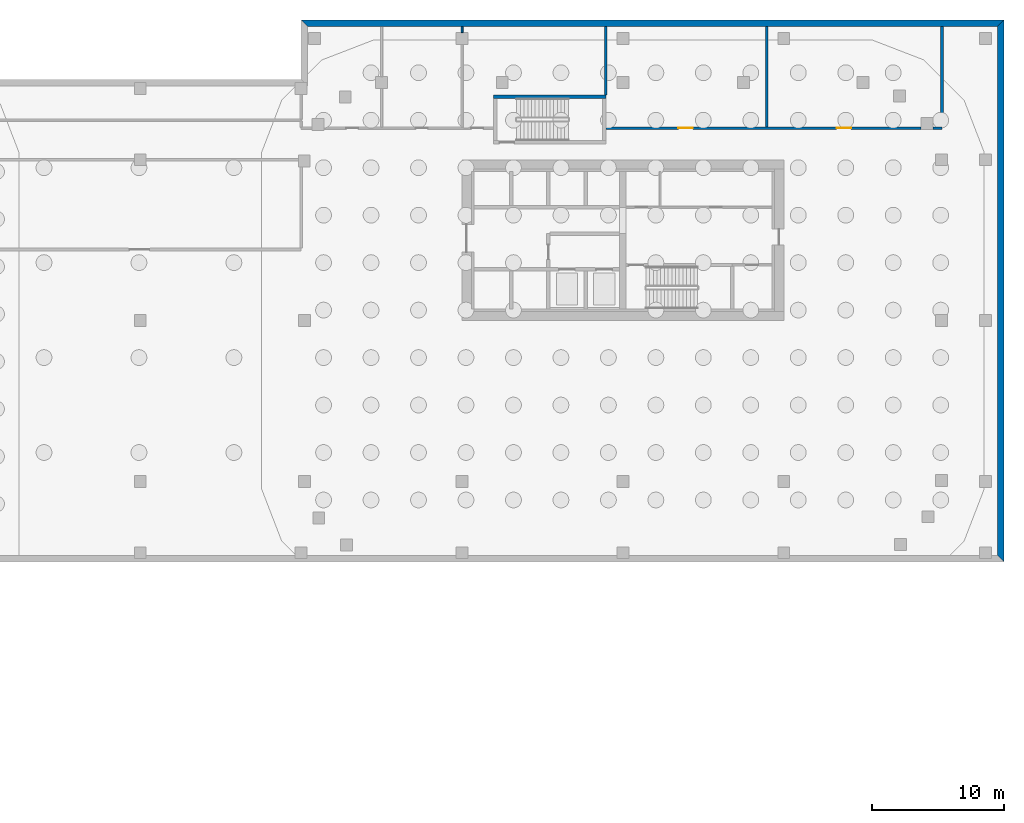
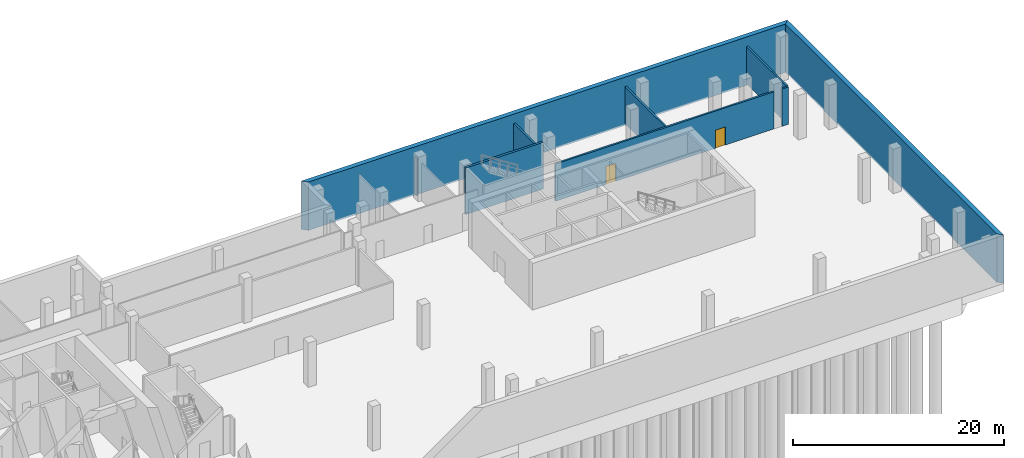
# One storey, part 9 of 13: 9 walls, 2 doors, 2 openings.
"""IFC4 building model written with IfcOpenShell, lengths in metres."""

from ifc_helpers import new_model, si_unit, direction, frame, frame_2d, origin, place, context, subcontext, project, spatial, polyline, rectangle, outline, extrude, source, transform, mapped, material, layer, layer_set, type_object, element, fill, save


model = new_model("IFC4")

# Units and contexts
model_context = context("Model", 3, precision=1e-05, world=origin(), true_north=direction((0.0, 1.0)))
body_context = subcontext(model_context, "Body", "Model", "MODEL_VIEW")
ifc_project = project(units=[si_unit("LENGTHUNIT", "METRE"), si_unit("AREAUNIT", "SQUARE_METRE"), si_unit("VOLUMEUNIT", "CUBIC_METRE"), si_unit("PLANEANGLEUNIT", "RADIAN"), si_unit("MASSUNIT", "GRAM", prefix="KILO")], contexts=[model_context])

# Site, building, storey
site_placement = place(None, origin())
site = spatial("IfcSite", under=ifc_project, at=site_placement, CompositionType="ELEMENT")
building_placement = place(site_placement, origin())
building = spatial("IfcBuilding", under=site, at=building_placement, Name="Tessera Gate Towers", CompositionType="ELEMENT")
storey_placement = place(building_placement, frame((0.0, 0.0, -5.39990234375)))
storey = spatial("IfcBuildingStorey", under=building, at=storey_placement, Name="B1", CompositionType="ELEMENT", Elevation=-5.39990234375)

# Wall
ifc_material_1 = material(Name="Concrete C40/50", Category="concrete")
ifc_layer_1 = layer(ifc_material_1, 0.25)
ifc_layer_set_1 = layer_set([ifc_layer_1], Name="CORE ENCLOSURE WALL 250")
wall_type_1 = type_object("IfcWallType", Name="CORE ENCLOSURE WALL 250", PredefinedType="SOLIDWALL", material=ifc_layer_set_1)
wall_1_placement = place(storey_placement, frame((100.0, 53.574951171875, 0.0), z_axis=(0.0, 0.0, 1.0), x_axis=(1.0, 0.0, 0.0)))
element("IfcWall", 1, at=wall_1_placement, inside=storey, type_object=wall_type_1, Name="B1 ST7 enclosure wall", PredefinedType="SOLIDWALL", context=body_context, shape_type="SweptSolid", body=[
    extrude(rectangle(XDim=8.5, YDim=0.25, at=frame_2d((4.25, 0.0))), origin(), (0.0, 0.0, 1.0), 5.39990234375),
])

# Wall, openings, doors
ifc_material_2 = material(Name="Concrete masonry unit", Category="masonry")
ifc_layer_2 = layer(ifc_material_2, 0.199951171875)
ifc_layer_set_2 = layer_set([ifc_layer_2], Name="PLANT WALL 200")
wall_type_2 = type_object("IfcWallType", Name="PLANT WALL 200", PredefinedType="PARTITIONING", material=ifc_layer_set_2)
wall_2_placement = place(storey_placement, frame((108.5, 51.199951171875, 0.0), z_axis=(0.0, 0.0, 1.0), x_axis=(1.0, 0.0, 0.0)))
wall_2 = element("IfcWall", 2, at=wall_2_placement, inside=storey, type_object=wall_type_2, Name="PODIUM-B1-PW-025", PredefinedType="PARTITIONING", context=body_context, shape_type="SweptSolid", body=[
    extrude(rectangle(XDim=23.91796875, YDim=0.199951171875, at=frame_2d((11.958984375, 0.0))), origin(), (0.0, 0.0, 1.0), 4.31494140625),
])
shared_shape_1 = source(origin(), body_context, "Body", "SweptSolid", [
    extrude(rectangle(XDim=1.10009765625, YDim=2.10009765625, at=frame_2d((0.550048828125, 1.050048828125))), frame((0.0, 0.10986328125, 0.0), z_axis=(0.0, -1.0, 0.0), x_axis=(1.0, 0.0, 0.0)), (0.0, 0.0, 1.0), 0.219970703125),
])
opening_1_placement = place(wall_2_placement, frame((5.5, 0.0, 0.0)))
opening_1 = element("IfcOpeningElement", 3, at=opening_1_placement, cuts=wall_2, Name="Opening D5110FD90-P00-01", PredefinedType="OPENING", context=body_context, shape_type="MappedRepresentation", body=[
    mapped(shared_shape_1, transform((0.0, 0.0, 0.0), scale=1.0)),
])
opening_2_placement = place(wall_2_placement, frame((17.5, 0.0, 0.0)))
opening_2 = element("IfcOpeningElement", 4, at=opening_2_placement, cuts=wall_2, Name="Opening D5110FD90-P00-02", PredefinedType="OPENING", context=body_context, shape_type="MappedRepresentation", body=[
    mapped(shared_shape_1, transform((0.0, 0.0, 0.0), scale=1.0)),
])
ifc_material_3 = material(Name="Timber door leaf in steel frame", Category="steel")
door_type = type_object("IfcDoorType", Name="PLANT DOOR 1100 FD90", OperationType="NOTDEFINED", PredefinedType="DOOR", material=ifc_material_3)
shared_shape_2 = source(origin(), body_context, "Body", "SweptSolid", [
    extrude(rectangle(XDim=1.10009765625, YDim=2.10009765625, at=frame_2d((0.550048828125, 1.050048828125))), frame((0.0, 0.02490234375, 0.0), z_axis=(0.0, -1.0, 0.0), x_axis=(1.0, 0.0, 0.0)), (0.0, 0.0, 1.0), 0.050048828125),
])
door_1_placement = place(opening_1_placement, origin())
door_1 = element("IfcDoor", 5, at=door_1_placement, inside=storey, type_object=door_type, Name="PODIUM-B1-PD-011", OperationType="SINGLE_SWING_LEFT", OverallHeight=2.10009765625, OverallWidth=1.10009765625, PredefinedType="DOOR", context=body_context, shape_type="MappedRepresentation", body=[
    mapped(shared_shape_2, transform((0.0, 0.0, 0.0), scale=1.0)),
])
fill(opening_1, door_1)
door_2_placement = place(opening_2_placement, origin())
door_2 = element("IfcDoor", 6, at=door_2_placement, inside=storey, type_object=door_type, Name="PODIUM-B1-PD-012", OperationType="SINGLE_SWING_LEFT", OverallHeight=2.10009765625, OverallWidth=1.10009765625, PredefinedType="DOOR", context=body_context, shape_type="MappedRepresentation", body=[
    mapped(shared_shape_2, transform((0.0, 0.0, 0.0), scale=1.0)),
])
fill(opening_2, door_2)

# Walls
wall_3_placement = place(storey_placement, frame((133.320068359375, 51.199951171875, 0.0), z_axis=(0.0, 0.0, 1.0), x_axis=(1.0, 0.0, 0.0)))
element("IfcWall", 7, at=wall_3_placement, inside=storey, type_object=wall_type_2, Name="PODIUM-B1-PW-026", PredefinedType="PARTITIONING", context=body_context, shape_type="SweptSolid", body=[
    extrude(rectangle(XDim=0.679931640625, YDim=0.199951171875, at=frame_2d((0.33984375, 0.0))), origin(), (0.0, 0.0, 1.0), 4.31494140625),
])
for number, where, z_axis, x_axis, name in (
    (8, (120.699951171875, 51.301025390625, 0.0), (0.0, 0.0, 1.0), (0.0, 1.0, 0.0), "PODIUM-B1-PW-030"),
    (9, (134.0, 51.301025390625, 0.0), (0.0, 0.0, 1.0), (0.0, 1.0, 0.0), "PODIUM-B1-PW-031"),
):
    element("IfcWall", number, at=place(storey_placement, frame(where, z_axis=z_axis, x_axis=x_axis)), inside=storey, type_object=wall_type_2, Name=name, PredefinedType="PARTITIONING", context=body_context, shape_type="SweptSolid", body=[
        extrude(rectangle(XDim=7.598876953125, YDim=0.199951171875, at=frame_2d((3.79931640625, 0.0))), origin(), (0.0, 0.0, 1.0), 4.31494140625),
    ])
wall_4_placement = place(storey_placement, frame((108.5, 53.699951171875, 0.0), z_axis=(0.0, 0.0, 1.0), x_axis=(0.0, 1.0, 0.0)))
element("IfcWall", 10, at=wall_4_placement, inside=storey, type_object=wall_type_2, Name="PODIUM-B1-PW-042", PredefinedType="PARTITIONING", context=body_context, shape_type="SweptSolid", body=[
    extrude(rectangle(XDim=5.199951171875, YDim=0.199951171875, at=frame_2d((2.60009765625, 0.0))), origin(), (0.0, 0.0, 1.0), 4.31494140625),
])
ifc_material_4 = material(Name="Concrete C40/50", Category="concrete")
ifc_layer_3 = layer(ifc_material_4, 0.5)
ifc_layer_set_3 = layer_set([ifc_layer_3], Name="RETAINING WALL 500 C40/50")
wall_type_3 = type_object("IfcWallType", Name="RETAINING WALL 500 C40/50", PredefinedType="SOLIDWALL", material=ifc_layer_set_3)
wall_5_placement = place(storey_placement, frame((0.0, 0.0, -0.2001953125)))
element("IfcWall", 11, at=wall_5_placement, inside=storey, type_object=wall_type_3, Name="PD-B1-RETAINING-20", PredefinedType="SOLIDWALL", context=body_context, shape_type="SweptSolid", body=[
    extrude(outline(polyline([(85.39990234375, 59.39990234375), (85.89990234375, 58.89990234375), (138.199951171875, 58.89990234375), (138.699951171875, 59.39990234375), (85.39990234375, 59.39990234375)])), origin(), (0.0, 0.0, 1.0), 5.60009765625),
])
wall_6_placement = place(storey_placement, frame((0.0, 0.0, -0.2001953125)))
element("IfcWall", 12, at=wall_6_placement, inside=storey, type_object=wall_type_3, Name="PD-B1-RETAINING-21", PredefinedType="SOLIDWALL", context=body_context, shape_type="SweptSolid", body=[
    extrude(outline(polyline([(138.199951171875, 18.800048828125), (138.699951171875, 18.300048828125), (138.699951171875, 59.39990234375), (138.199951171875, 58.89990234375), (138.199951171875, 18.800048828125)])), origin(), (0.0, 0.0, 1.0), 5.60009765625),
])
ifc_material_5 = material(Name="Gypsum board on steel studs, mineral wool", Category="steel")
ifc_layer_4 = layer(ifc_material_5, 0.14990234375)
ifc_layer_set_4 = layer_set([ifc_layer_4], Name="TENANCY WALL 150")
wall_type_4 = type_object("IfcWallType", Name="TENANCY WALL 150", PredefinedType="PARTITIONING", material=ifc_layer_set_4)
wall_7_placement = place(storey_placement, frame((97.60009765625, 58.450927734375, 0.0), z_axis=(0.0, 0.0, 1.0), x_axis=(0.0, 1.0, 0.0)))
element("IfcWall", 13, at=wall_7_placement, inside=storey, type_object=wall_type_4, Name="PODIUM-B1-PW-046", PredefinedType="PARTITIONING", context=body_context, shape_type="SweptSolid", body=[
    extrude(rectangle(XDim=0.448974609375, YDim=0.14990234375, at=frame_2d((0.224609375, 0.0))), origin(), (0.0, 0.0, 1.0), 4.31494140625),
])

save(model, "model.ifc")
